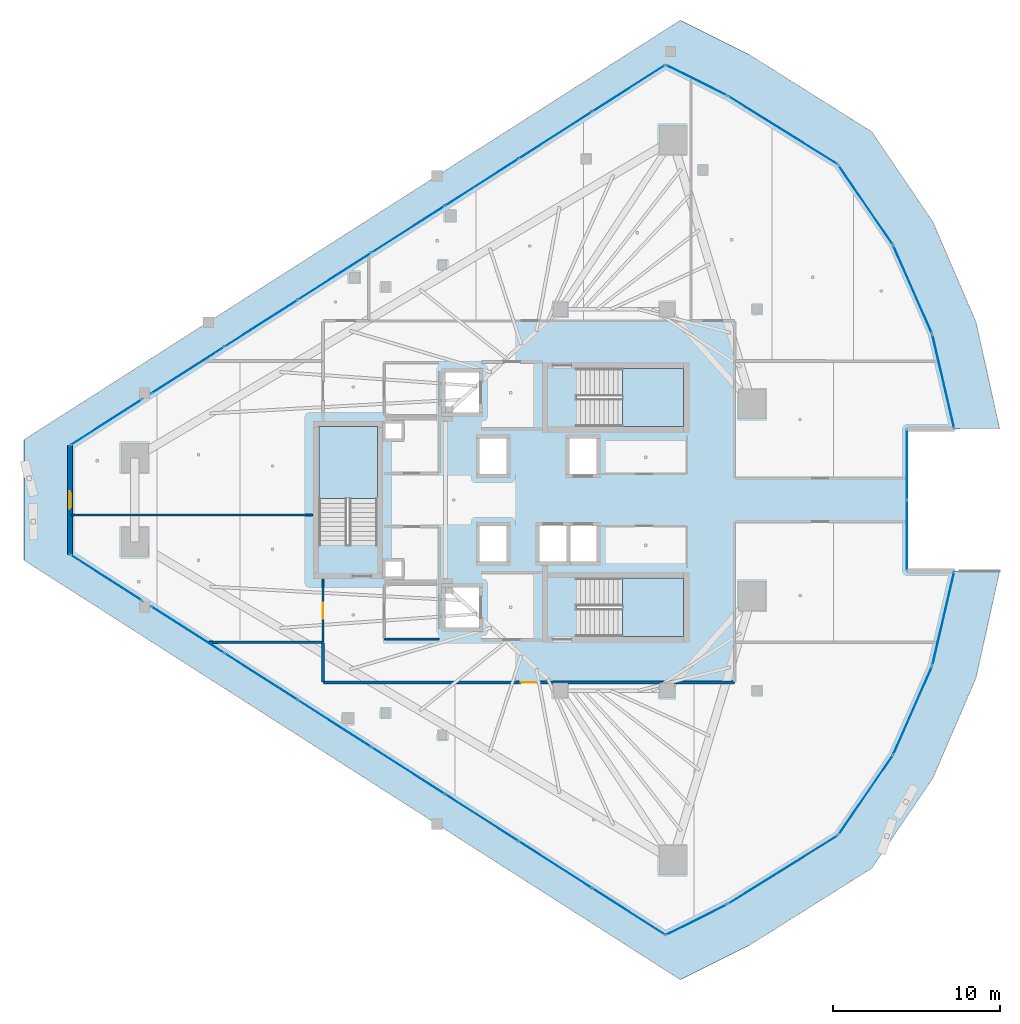
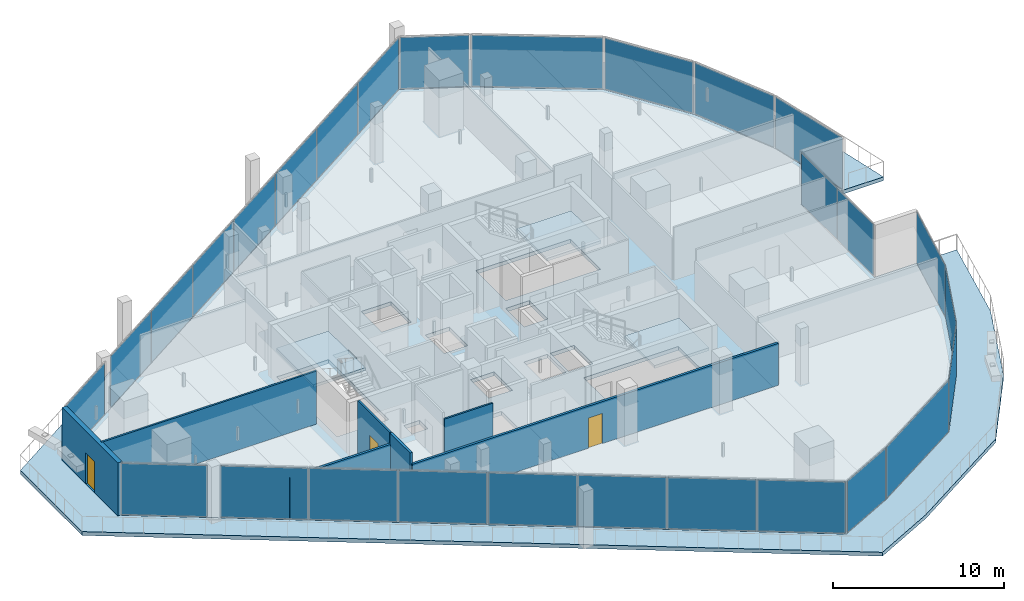
# One storey, part 20 of 30: 28 plates, 7 walls, 5 slabs, 3 doors, 3 openings, 18 elements without a shape of their own.
"""IFC4 building model written with IfcOpenShell, lengths in metres."""

from ifc_helpers import new_model, si_unit, direction, frame, frame_2d, origin, origin_2d, place, context, subcontext, project, spatial, polyline, rectangle, outline, extrude, material, layer, layer_set, type_object, element, fill, aggregate, save


model = new_model("IFC4")

# Units and contexts
model_context = context("Model", 3, precision=1e-05, world=origin(), true_north=direction((0.0, 1.0)))
body_context = subcontext(model_context, "Body", "Model", "MODEL_VIEW")
ifc_project = project(units=[si_unit("LENGTHUNIT", "METRE"), si_unit("AREAUNIT", "SQUARE_METRE"), si_unit("VOLUMEUNIT", "CUBIC_METRE"), si_unit("PLANEANGLEUNIT", "RADIAN"), si_unit("MASSUNIT", "GRAM", prefix="KILO")], contexts=[model_context])

# Site, building, storey
site_placement = place(None, origin())
site = spatial("IfcSite", under=ifc_project, at=site_placement, CompositionType="ELEMENT")
building_placement = place(site_placement, origin())
building = spatial("IfcBuilding", under=site, at=building_placement, Name="Qorvath Tower", CompositionType="ELEMENT")
storey_placement = place(building_placement, frame((0.0, 0.0, 217.199951171875)))
storey = spatial("IfcBuildingStorey", under=building, at=storey_placement, Name="L50", CompositionType="ELEMENT", Elevation=217.199951171875)

# Curtain wall, plate
ifc_material_1 = material(Name="Anodised aluminium and triple low-E glass", Category="aluminium")
ifc_layer_1 = layer(ifc_material_1, 0.179931640625)
ifc_layer_set_1 = layer_set([ifc_layer_1], Name="CW-SYS-3")
curtain_wall_type = type_object("IfcCurtainWallType", Name="CW-SYS-3", PredefinedType="NOTDEFINED", material=ifc_layer_set_1)
curtain_wall_1_placement = place(storey_placement, origin())
curtain_wall_1 = element("IfcCurtainWall", 1, at=curtain_wall_1_placement, inside=storey, type_object=curtain_wall_type, Name="Curtain Wall CW-3 CW-T-L50-2.1", PredefinedType="NOTDEFINED")
ifc_material_2 = material(Name="Low-E triple insulated glass", Category="glass")
ifc_layer_2 = layer(ifc_material_2, 0.031982421875)
ifc_layer_set_2 = layer_set([ifc_layer_2], Name="CWP-GLZ-32")
plate_type = type_object("IfcPlateType", Name="CWP-GLZ-32", PredefinedType="CURTAIN_PANEL", material=ifc_layer_set_2)
plate_1_placement = place(storey_placement, frame((-50.886962890625, -4.66064453125, 0.065185546875), z_axis=(0.0, 0.0, 1.0), x_axis=(0.842591558804, -0.53855312183, 0.0)))
plate_1 = element("IfcPlate", 2, at=plate_1_placement, type_object=plate_type, Name="CW-3 panel 1.1", PredefinedType="CURTAIN_PANEL", context=body_context, shape_type="SweptSolid", body=[
    extrude(rectangle(XDim=5.046630859375, YDim=0.031982421875, at=origin_2d()), origin(), (0.0, 0.0, 1.0), 3.64990234375),
])
aggregate(curtain_wall_1, [plate_1])

# Curtain wall, plates
curtain_wall_2_placement = place(storey_placement, origin())
curtain_wall_2 = element("IfcCurtainWall", 3, at=curtain_wall_2_placement, inside=storey, type_object=curtain_wall_type, Name="Curtain Wall CW-3 CW-T-L50-2.2", PredefinedType="NOTDEFINED")
plate_2_placement = place(storey_placement, frame((-45.986328125, -7.79296875, 0.065185546875), z_axis=(0.0, 0.0, 1.0), x_axis=(0.842603278224, -0.538534785809, 0.0)))
plate_2 = element("IfcPlate", 4, at=plate_2_placement, type_object=plate_type, Name="CW-3 panel 1.1", PredefinedType="CURTAIN_PANEL", context=body_context, shape_type="SweptSolid", body=[
    extrude(rectangle(XDim=5.144775390625, YDim=0.031982421875, at=origin_2d()), origin(), (0.0, 0.0, 1.0), 3.64990234375),
])
plate_3_placement = place(storey_placement, frame((-41.582763671875, -10.607177734375, 0.065185546875), z_axis=(0.0, 0.0, 1.0), x_axis=(0.842603278224, -0.538534785809, 0.0)))
plate_3 = element("IfcPlate", 5, at=plate_3_placement, type_object=plate_type, Name="CW-3 panel 2.1", PredefinedType="CURTAIN_PANEL", context=body_context, shape_type="SweptSolid", body=[
    extrude(rectangle(XDim=5.17724609375, YDim=0.031982421875, at=origin_2d()), origin(), (0.0, 0.0, 1.0), 3.64990234375),
])
plate_4_placement = place(storey_placement, frame((-37.165771484375, -13.430419921875, 0.065185546875), z_axis=(0.0, 0.0, 1.0), x_axis=(0.842603278224, -0.538534785809, 0.0)))
plate_4 = element("IfcPlate", 6, at=plate_4_placement, type_object=plate_type, Name="CW-3 panel 3.1", PredefinedType="CURTAIN_PANEL", context=body_context, shape_type="SweptSolid", body=[
    extrude(rectangle(XDim=5.17724609375, YDim=0.031982421875, at=origin_2d()), origin(), (0.0, 0.0, 1.0), 3.64990234375),
])
plate_5_placement = place(storey_placement, frame((-32.74853515625, -16.253662109375, 0.065185546875), z_axis=(0.0, 0.0, 1.0), x_axis=(0.842603278224, -0.538534785809, 0.0)))
plate_5 = element("IfcPlate", 7, at=plate_5_placement, type_object=plate_type, Name="CW-3 panel 4.1", PredefinedType="CURTAIN_PANEL", context=body_context, shape_type="SweptSolid", body=[
    extrude(rectangle(XDim=5.17724609375, YDim=0.031982421875, at=origin_2d()), origin(), (0.0, 0.0, 1.0), 3.64990234375),
])
plate_6_placement = place(storey_placement, frame((-28.33154296875, -19.07666015625, 0.065185546875), z_axis=(0.0, 0.0, 1.0), x_axis=(0.842603278224, -0.538534785809, 0.0)))
plate_6 = element("IfcPlate", 8, at=plate_6_placement, type_object=plate_type, Name="CW-3 panel 5.1", PredefinedType="CURTAIN_PANEL", context=body_context, shape_type="SweptSolid", body=[
    extrude(rectangle(XDim=5.17724609375, YDim=0.031982421875, at=origin_2d()), origin(), (0.0, 0.0, 1.0), 3.64990234375),
])
plate_7_placement = place(storey_placement, frame((-23.914306640625, -21.89990234375, 0.065185546875), z_axis=(0.0, 0.0, 1.0), x_axis=(0.842603278224, -0.538534785809, 0.0)))
plate_7 = element("IfcPlate", 9, at=plate_7_placement, type_object=plate_type, Name="CW-3 panel 6.1", PredefinedType="CURTAIN_PANEL", context=body_context, shape_type="SweptSolid", body=[
    extrude(rectangle(XDim=5.17724609375, YDim=0.031982421875, at=origin_2d()), origin(), (0.0, 0.0, 1.0), 3.64990234375),
])
plate_8_placement = place(storey_placement, frame((-19.5107421875, -24.714111328125, 0.065185546875), z_axis=(0.0, 0.0, 1.0), x_axis=(0.842603278224, -0.538534785809, 0.0)))
plate_8 = element("IfcPlate", 10, at=plate_8_placement, type_object=plate_type, Name="CW-3 panel 7.1", PredefinedType="CURTAIN_PANEL", context=body_context, shape_type="SweptSolid", body=[
    extrude(rectangle(XDim=5.144775390625, YDim=0.031982421875, at=origin_2d()), origin(), (0.0, 0.0, 1.0), 3.64990234375),
])
aggregate(curtain_wall_2, [plate_2, plate_3, plate_4, plate_5, plate_6, plate_7, plate_8])

# Curtain wall, plate
curtain_wall_3_placement = place(storey_placement, origin())
curtain_wall_3 = element("IfcCurtainWall", 11, at=curtain_wall_3_placement, inside=storey, type_object=curtain_wall_type, Name="Curtain Wall CW-3 CW-T-L50-3.1", PredefinedType="NOTDEFINED")
plate_9_placement = place(storey_placement, frame((-15.421630859375, -25.201171875, 0.065185546875), z_axis=(0.0, 0.0, 1.0), x_axis=(0.894422399869, 0.447223177633, 0.0)))
plate_9 = element("IfcPlate", 12, at=plate_9_placement, type_object=plate_type, Name="CW-3 panel 1.1", PredefinedType="CURTAIN_PANEL", context=body_context, shape_type="SweptSolid", body=[
    extrude(rectangle(XDim=4.04443359375, YDim=0.031982421875, at=origin_2d()), origin(), (0.0, 0.0, 1.0), 3.64990234375),
])
aggregate(curtain_wall_3, [plate_9])

curtain_wall_4_placement = place(storey_placement, origin())
curtain_wall_4 = element("IfcCurtainWall", 13, at=curtain_wall_4_placement, inside=storey, type_object=curtain_wall_type, Name="Curtain Wall CW-3 CW-T-L50-4.1", PredefinedType="NOTDEFINED")
plate_10_placement = place(storey_placement, frame((-10.2421875, -22.20263671875, 0.065185546875), z_axis=(0.0, 0.0, 1.0), x_axis=(0.848633086987, 0.528981931327, 0.0)))
plate_10 = element("IfcPlate", 14, at=plate_10_placement, type_object=plate_type, Name="CW-3 panel 1.1", PredefinedType="CURTAIN_PANEL", context=body_context, shape_type="SweptSolid", body=[
    extrude(rectangle(XDim=7.67724609375, YDim=0.031982421875, at=origin_2d()), origin(), (0.0, 0.0, 1.0), 3.64990234375),
])
aggregate(curtain_wall_4, [plate_10])

curtain_wall_5_placement = place(storey_placement, origin())
curtain_wall_5 = element("IfcCurtainWall", 15, at=curtain_wall_5_placement, inside=storey, type_object=curtain_wall_type, Name="Curtain Wall CW-3 CW-T-L50-5.1", PredefinedType="NOTDEFINED")
plate_11_placement = place(storey_placement, frame((-5.279541015625, -17.726806640625, 0.065185546875), z_axis=(0.0, 0.0, 1.0), x_axis=(0.564746495163, 0.825264440165, 0.0)))
plate_11 = element("IfcPlate", 16, at=plate_11_placement, type_object=plate_type, Name="CW-3 panel 1.1", PredefinedType="CURTAIN_PANEL", context=body_context, shape_type="SweptSolid", body=[
    extrude(rectangle(XDim=5.712890625, YDim=0.031982421875, at=origin_2d()), origin(), (0.0, 0.0, 1.0), 3.64990234375),
])
aggregate(curtain_wall_5, [plate_11])

curtain_wall_6_placement = place(storey_placement, origin())
curtain_wall_6 = element("IfcCurtainWall", 17, at=curtain_wall_6_placement, inside=storey, type_object=curtain_wall_type, Name="Curtain Wall CW-3 CW-T-L50-6.1", PredefinedType="NOTDEFINED")
plate_12_placement = place(storey_placement, frame((-2.452880859375, -12.6416015625, 0.065185546875), z_axis=(0.0, 0.0, 1.0), x_axis=(0.402724849666, 0.915321088723, 0.0)))
plate_12 = element("IfcPlate", 18, at=plate_12_placement, type_object=plate_type, Name="CW-3 panel 1.1", PredefinedType="CURTAIN_PANEL", context=body_context, shape_type="SweptSolid", body=[
    extrude(rectangle(XDim=5.713134765625, YDim=0.031982421875, at=origin_2d()), origin(), (0.0, 0.0, 1.0), 3.64990234375),
])
aggregate(curtain_wall_6, [plate_12])

curtain_wall_7_placement = place(storey_placement, origin())
curtain_wall_7 = element("IfcCurtainWall", 19, at=curtain_wall_7_placement, inside=storey, type_object=curtain_wall_type, Name="Curtain Wall CW-3 CW-T-L50-7.1", PredefinedType="NOTDEFINED")
plate_13_placement = place(storey_placement, frame((-0.61328125, -7.1220703125, 0.065185546875), z_axis=(0.0, 0.0, 1.0), x_axis=(0.226943936238, 0.97390782408, 0.0)))
plate_13 = element("IfcPlate", 20, at=plate_13_placement, type_object=plate_type, Name="CW-3 panel 1.1", PredefinedType="CURTAIN_PANEL", context=body_context, shape_type="SweptSolid", body=[
    extrude(rectangle(XDim=5.712890625, YDim=0.031982421875, at=origin_2d()), origin(), (0.0, 0.0, 1.0), 3.64990234375),
])
aggregate(curtain_wall_7, [plate_13])

# Curtain wall, plates
curtain_wall_8_placement = place(storey_placement, origin())
curtain_wall_8 = element("IfcCurtainWall", 21, at=curtain_wall_8_placement, inside=storey, type_object=curtain_wall_type, Name="Curtain Wall CW-3 CW-T-L50-9.1", PredefinedType="NOTDEFINED")
plate_14_placement = place(storey_placement, frame((-2.8017578125, -2.122314453125, 0.065185546875), z_axis=(0.0, 0.0, 1.0), x_axis=(0.0, 1.0, 0.0)))
plate_14 = element("IfcPlate", 22, at=plate_14_placement, type_object=plate_type, Name="CW-3 panel 1.1", PredefinedType="CURTAIN_PANEL", context=body_context, shape_type="SweptSolid", body=[
    extrude(rectangle(XDim=4.179443359375, YDim=0.031982421875, at=origin_2d()), origin(), (0.0, 0.0, 1.0), 3.64990234375),
])
plate_15_placement = place(storey_placement, frame((-2.8017578125, 2.122314453125, 0.065185546875), z_axis=(0.0, 0.0, 1.0), x_axis=(0.0, 1.0, 0.0)))
plate_15 = element("IfcPlate", 23, at=plate_15_placement, type_object=plate_type, Name="CW-3 panel 2.1", PredefinedType="CURTAIN_PANEL", context=body_context, shape_type="SweptSolid", body=[
    extrude(rectangle(XDim=4.179443359375, YDim=0.031982421875, at=origin_2d()), origin(), (0.0, 0.0, 1.0), 3.64990234375),
])
aggregate(curtain_wall_8, [plate_14, plate_15])

# Curtain wall, plate
curtain_wall_9_placement = place(storey_placement, origin())
curtain_wall_9 = element("IfcCurtainWall", 24, at=curtain_wall_9_placement, inside=storey, type_object=curtain_wall_type, Name="Curtain Wall CW-3 CW-T-L50-11.1", PredefinedType="NOTDEFINED")
plate_16_placement = place(storey_placement, frame((-0.61328125, 7.1220703125, 0.065185546875), z_axis=(0.0, 0.0, 1.0), x_axis=(-0.226943936238, 0.97390782408, 0.0)))
plate_16 = element("IfcPlate", 25, at=plate_16_placement, type_object=plate_type, Name="CW-3 panel 1.1", PredefinedType="CURTAIN_PANEL", context=body_context, shape_type="SweptSolid", body=[
    extrude(rectangle(XDim=5.712890625, YDim=0.031982421875, at=origin_2d()), origin(), (0.0, 0.0, 1.0), 3.64990234375),
])
aggregate(curtain_wall_9, [plate_16])

curtain_wall_10_placement = place(storey_placement, origin())
curtain_wall_10 = element("IfcCurtainWall", 26, at=curtain_wall_10_placement, inside=storey, type_object=curtain_wall_type, Name="Curtain Wall CW-3 CW-T-L50-12.1", PredefinedType="NOTDEFINED")
plate_17_placement = place(storey_placement, frame((-2.452880859375, 12.6416015625, 0.065185546875), z_axis=(0.0, 0.0, 1.0), x_axis=(-0.402724849666, 0.915321088723, 0.0)))
plate_17 = element("IfcPlate", 27, at=plate_17_placement, type_object=plate_type, Name="CW-3 panel 1.1", PredefinedType="CURTAIN_PANEL", context=body_context, shape_type="SweptSolid", body=[
    extrude(rectangle(XDim=5.713134765625, YDim=0.031982421875, at=origin_2d()), origin(), (0.0, 0.0, 1.0), 3.64990234375),
])
aggregate(curtain_wall_10, [plate_17])

curtain_wall_11_placement = place(storey_placement, origin())
curtain_wall_11 = element("IfcCurtainWall", 28, at=curtain_wall_11_placement, inside=storey, type_object=curtain_wall_type, Name="Curtain Wall CW-3 CW-T-L50-13.1", PredefinedType="NOTDEFINED")
plate_18_placement = place(storey_placement, frame((-5.279541015625, 17.726806640625, 0.065185546875), z_axis=(0.0, 0.0, 1.0), x_axis=(-0.564746495163, 0.825264440165, 0.0)))
plate_18 = element("IfcPlate", 29, at=plate_18_placement, type_object=plate_type, Name="CW-3 panel 1.1", PredefinedType="CURTAIN_PANEL", context=body_context, shape_type="SweptSolid", body=[
    extrude(rectangle(XDim=5.712890625, YDim=0.031982421875, at=origin_2d()), origin(), (0.0, 0.0, 1.0), 3.64990234375),
])
aggregate(curtain_wall_11, [plate_18])

curtain_wall_12_placement = place(storey_placement, origin())
curtain_wall_12 = element("IfcCurtainWall", 30, at=curtain_wall_12_placement, inside=storey, type_object=curtain_wall_type, Name="Curtain Wall CW-3 CW-T-L50-14.1", PredefinedType="NOTDEFINED")
plate_19_placement = place(storey_placement, frame((-10.2421875, 22.20263671875, 0.065185546875), z_axis=(0.0, 0.0, 1.0), x_axis=(-0.848633086987, 0.528981931327, 0.0)))
plate_19 = element("IfcPlate", 31, at=plate_19_placement, type_object=plate_type, Name="CW-3 panel 1.1", PredefinedType="CURTAIN_PANEL", context=body_context, shape_type="SweptSolid", body=[
    extrude(rectangle(XDim=7.67724609375, YDim=0.031982421875, at=origin_2d()), origin(), (0.0, 0.0, 1.0), 3.64990234375),
])
aggregate(curtain_wall_12, [plate_19])

curtain_wall_13_placement = place(storey_placement, origin())
curtain_wall_13 = element("IfcCurtainWall", 32, at=curtain_wall_13_placement, inside=storey, type_object=curtain_wall_type, Name="Curtain Wall CW-3 CW-T-L50-15.1", PredefinedType="NOTDEFINED")
plate_20_placement = place(storey_placement, frame((-15.421630859375, 25.201171875, 0.065185546875), z_axis=(0.0, 0.0, 1.0), x_axis=(-0.894422399869, 0.447223177633, 0.0)))
plate_20 = element("IfcPlate", 33, at=plate_20_placement, type_object=plate_type, Name="CW-3 panel 1.1", PredefinedType="CURTAIN_PANEL", context=body_context, shape_type="SweptSolid", body=[
    extrude(rectangle(XDim=4.04443359375, YDim=0.031982421875, at=origin_2d()), origin(), (0.0, 0.0, 1.0), 3.64990234375),
])
aggregate(curtain_wall_13, [plate_20])

# Curtain wall, plates
curtain_wall_14_placement = place(storey_placement, origin())
curtain_wall_14 = element("IfcCurtainWall", 34, at=curtain_wall_14_placement, inside=storey, type_object=curtain_wall_type, Name="Curtain Wall CW-3 CW-T-L50-16.1", PredefinedType="NOTDEFINED")
plate_21_placement = place(storey_placement, frame((-19.5107421875, 24.714111328125, 0.065185546875), z_axis=(0.0, 0.0, 1.0), x_axis=(-0.842603278224, -0.538534785809, 0.0)))
plate_21 = element("IfcPlate", 35, at=plate_21_placement, type_object=plate_type, Name="CW-3 panel 1.1", PredefinedType="CURTAIN_PANEL", context=body_context, shape_type="SweptSolid", body=[
    extrude(rectangle(XDim=5.144775390625, YDim=0.031982421875, at=origin_2d()), origin(), (0.0, 0.0, 1.0), 3.64990234375),
])
plate_22_placement = place(storey_placement, frame((-23.914306640625, 21.89990234375, 0.065185546875), z_axis=(0.0, 0.0, 1.0), x_axis=(-0.842603278224, -0.538534785809, 0.0)))
plate_22 = element("IfcPlate", 36, at=plate_22_placement, type_object=plate_type, Name="CW-3 panel 2.1", PredefinedType="CURTAIN_PANEL", context=body_context, shape_type="SweptSolid", body=[
    extrude(rectangle(XDim=5.17724609375, YDim=0.031982421875, at=origin_2d()), origin(), (0.0, 0.0, 1.0), 3.64990234375),
])
plate_23_placement = place(storey_placement, frame((-28.33154296875, 19.07666015625, 0.065185546875), z_axis=(0.0, 0.0, 1.0), x_axis=(-0.842603278224, -0.538534785809, 0.0)))
plate_23 = element("IfcPlate", 37, at=plate_23_placement, type_object=plate_type, Name="CW-3 panel 3.1", PredefinedType="CURTAIN_PANEL", context=body_context, shape_type="SweptSolid", body=[
    extrude(rectangle(XDim=5.17724609375, YDim=0.031982421875, at=origin_2d()), origin(), (0.0, 0.0, 1.0), 3.64990234375),
])
plate_24_placement = place(storey_placement, frame((-32.74853515625, 16.253662109375, 0.065185546875), z_axis=(0.0, 0.0, 1.0), x_axis=(-0.842603278224, -0.538534785809, 0.0)))
plate_24 = element("IfcPlate", 38, at=plate_24_placement, type_object=plate_type, Name="CW-3 panel 4.1", PredefinedType="CURTAIN_PANEL", context=body_context, shape_type="SweptSolid", body=[
    extrude(rectangle(XDim=5.17724609375, YDim=0.031982421875, at=origin_2d()), origin(), (0.0, 0.0, 1.0), 3.64990234375),
])
plate_25_placement = place(storey_placement, frame((-37.165771484375, 13.430419921875, 0.065185546875), z_axis=(0.0, 0.0, 1.0), x_axis=(-0.842603278224, -0.538534785809, 0.0)))
plate_25 = element("IfcPlate", 39, at=plate_25_placement, type_object=plate_type, Name="CW-3 panel 5.1", PredefinedType="CURTAIN_PANEL", context=body_context, shape_type="SweptSolid", body=[
    extrude(rectangle(XDim=5.17724609375, YDim=0.031982421875, at=origin_2d()), origin(), (0.0, 0.0, 1.0), 3.64990234375),
])
plate_26_placement = place(storey_placement, frame((-41.582763671875, 10.607177734375, 0.065185546875), z_axis=(0.0, 0.0, 1.0), x_axis=(-0.842603278224, -0.538534785809, 0.0)))
plate_26 = element("IfcPlate", 40, at=plate_26_placement, type_object=plate_type, Name="CW-3 panel 6.1", PredefinedType="CURTAIN_PANEL", context=body_context, shape_type="SweptSolid", body=[
    extrude(rectangle(XDim=5.17724609375, YDim=0.031982421875, at=origin_2d()), origin(), (0.0, 0.0, 1.0), 3.64990234375),
])
plate_27_placement = place(storey_placement, frame((-45.986328125, 7.79296875, 0.065185546875), z_axis=(0.0, 0.0, 1.0), x_axis=(-0.842603278224, -0.538534785809, 0.0)))
plate_27 = element("IfcPlate", 41, at=plate_27_placement, type_object=plate_type, Name="CW-3 panel 7.1", PredefinedType="CURTAIN_PANEL", context=body_context, shape_type="SweptSolid", body=[
    extrude(rectangle(XDim=5.144775390625, YDim=0.031982421875, at=origin_2d()), origin(), (0.0, 0.0, 1.0), 3.64990234375),
])
aggregate(curtain_wall_14, [plate_21, plate_22, plate_23, plate_24, plate_25, plate_26, plate_27])

# Curtain wall, plate
curtain_wall_15_placement = place(storey_placement, origin())
curtain_wall_15 = element("IfcCurtainWall", 42, at=curtain_wall_15_placement, inside=storey, type_object=curtain_wall_type, Name="Curtain Wall CW-3 CW-T-L50-16.2", PredefinedType="NOTDEFINED")
plate_28_placement = place(storey_placement, frame((-50.886962890625, 4.66064453125, 0.065185546875), z_axis=(0.0, 0.0, 1.0), x_axis=(-0.842591558804, -0.53855312183, 0.0)))
plate_28 = element("IfcPlate", 43, at=plate_28_placement, type_object=plate_type, Name="CW-3 panel 1.1", PredefinedType="CURTAIN_PANEL", context=body_context, shape_type="SweptSolid", body=[
    extrude(rectangle(XDim=5.046630859375, YDim=0.031982421875, at=origin_2d()), origin(), (0.0, 0.0, 1.0), 3.64990234375),
])
aggregate(curtain_wall_15, [plate_28])

# Stair, slab
ifc_material_3 = material(Name="Concrete C50/60", Category="concrete")
stair_type = type_object("IfcStairType", Name="ST-H405", PredefinedType="HALF_TURN_STAIR", material=ifc_material_3)
stair_1_placement = place(storey_placement, origin())
stair_1 = element("IfcStair", 44, at=stair_1_placement, inside=storey, type_object=stair_type, Name="L50 Tower Exit Stair 1", PredefinedType="HALF_TURN_STAIR")
ifc_material_4 = material(Name="Concrete C50/60", Category="concrete")
ifc_layer_3 = layer(ifc_material_4, 0.199951171875)
ifc_layer_set_3 = layer_set([ifc_layer_3], Name="SL-LND-200")
slab_type_1 = type_object("IfcSlabType", Name="SL-LND-200", PredefinedType="LANDING", material=ifc_layer_set_3)
slab_1_placement = place(storey_placement, frame((0.0, 0.0, 1.824951171875)))
slab_1 = element("IfcSlab", 45, at=slab_1_placement, type_object=slab_type_1, Name="TS1 landing 1", PredefinedType="LANDING", context=body_context, shape_type="SweptSolid", body=[
    extrude(outline(polyline([(-19.8701171875, 4.39990234375), (-16.199951171875, 4.39990234375), (-16.199951171875, 7.909912109375), (-19.8701171875, 7.909912109375), (-19.8701171875, 4.39990234375)])), origin(), (0.0, 0.0, 1.0), 0.2001953125),
])
aggregate(stair_1, [slab_1])

stair_2_placement = place(storey_placement, origin())
stair_2 = element("IfcStair", 46, at=stair_2_placement, inside=storey, type_object=stair_type, Name="L50 Tower Exit Stair 2", PredefinedType="HALF_TURN_STAIR")
slab_2_placement = place(storey_placement, frame((0.0, 0.0, 1.824951171875)))
slab_2 = element("IfcSlab", 47, at=slab_2_placement, type_object=slab_type_1, Name="TS2 landing 1", PredefinedType="LANDING", context=body_context, shape_type="SweptSolid", body=[
    extrude(outline(polyline([(-19.8701171875, -8.199951171875), (-16.199951171875, -8.199951171875), (-16.199951171875, -4.68994140625), (-19.8701171875, -4.68994140625), (-19.8701171875, -8.199951171875)])), origin(), (0.0, 0.0, 1.0), 0.2001953125),
])
aggregate(stair_2, [slab_2])

stair_3_placement = place(storey_placement, origin())
stair_3 = element("IfcStair", 48, at=stair_3_placement, inside=storey, type_object=stair_type, Name="L50 Tower Exit Stair 3", PredefinedType="HALF_TURN_STAIR")
slab_3_placement = place(storey_placement, frame((0.0, 0.0, 1.824951171875)))
slab_3 = element("IfcSlab", 49, at=slab_3_placement, type_object=slab_type_1, Name="TS3 landing 1", PredefinedType="LANDING", context=body_context, shape_type="SweptSolid", body=[
    extrude(outline(polyline([(-34.60009765625, 0.080078125), (-34.60009765625, 4.39990234375), (-38.110107421875, 4.39990234375), (-38.110107421875, 0.080078125), (-34.60009765625, 0.080078125)])), origin(), (0.0, 0.0, 1.0), 0.2001953125),
])
aggregate(stair_3, [slab_3])

# Slabs
ifc_material_5 = material(Name="Precast concrete C45/55", Category="concrete")
ifc_layer_4 = layer(ifc_material_5, 0.27001953125)
ifc_layer_set_4 = layer_set([ifc_layer_4], Name="SL-LOG-270")
slab_type_2 = type_object("IfcSlabType", Name="SL-LOG-270", PredefinedType="FLOOR", material=ifc_layer_set_4)
slab_4_placement = place(storey_placement, frame((0.0, 0.0, -0.27001953125)))
element("IfcSlab", 50, at=slab_4_placement, inside=storey, type_object=slab_type_2, Name="Tower L50 Perimeter Loggia and Terrace Slab", PredefinedType="FLOOR", context=body_context, shape_type="SweptSolid", body=[
    extrude(outline(polyline([(0.049560546875, -4.27685546875), (-1.2763671875, -9.96728515625), (-3.629638671875, -15.315673828125), (-6.929443359375, -20.1376953125), (-13.554931640625, -24.267578125), (-17.28857421875, -26.134521484375), (-53.06787109375, -3.266845703125), (-53.06787109375, 3.266845703125), (-17.28857421875, 26.134521484375), (-13.554931640625, 24.267578125), (-6.929443359375, 20.1376953125), (-3.629638671875, 15.315673828125), (-1.2763671875, 9.96728515625), (0.049560546875, 4.27685546875), (2.76611328125, 4.27685546875), (1.350830078125, 10.671142578125), (-1.2392578125, 16.686279296875), (-4.912109375, 22.108642578125), (-12.284423828125, 26.745361328125), (-16.399169921875, 28.802734375), (-55.831298828125, 3.600341796875), (-55.831298828125, -3.600341796875), (-16.399169921875, -28.802734375), (-12.284423828125, -26.745361328125), (-4.912109375, -22.108642578125), (-1.2392578125, -16.686279296875), (1.350830078125, -10.671142578125), (2.76611328125, -4.27685546875), (0.049560546875, -4.27685546875)])), origin(), (0.0, 0.0, 1.0), 0.27001953125),
])
ifc_material_6 = material(Name="Concrete C45/55", Category="concrete")
ifc_layer_5 = layer(ifc_material_6, 0.27001953125)
ifc_layer_set_5 = layer_set([ifc_layer_5], Name="SL-MID-270")
slab_type_3 = type_object("IfcSlabType", Name="SL-MID-270", PredefinedType="FLOOR", material=ifc_layer_set_5)
slab_5_placement = place(storey_placement, frame((0.0, 0.0, -0.27001953125)))
element("IfcSlab", 51, at=slab_5_placement, inside=storey, type_object=slab_type_3, Name="Tower L50 Interior Floor Slab", PredefinedType="FLOOR", context=body_context, shape_type="SweptSolid", body=[
    extrude(outline(polyline([(-53.06787109375, 3.266845703125), (-53.06787109375, -3.266845703125), (-17.28857421875, -26.134521484375), (-13.554931640625, -24.267578125), (-6.929443359375, -20.1376953125), (-3.629638671875, -15.315673828125), (-1.2763671875, -9.96728515625), (0.049560546875, -4.27685546875), (-2.8017578125, -4.27685546875), (-2.8017578125, 4.27685546875), (0.049560546875, 4.27685546875), (-1.2763671875, 9.96728515625), (-3.629638671875, 15.315673828125), (-6.929443359375, 20.1376953125), (-13.554931640625, 24.267578125), (-17.28857421875, 26.134521484375), (-53.06787109375, 3.266845703125)]), holes=[polyline([(-16.2451171875, -8.199951171875), (-22.625, -8.199951171875), (-22.625, -4.68994140625), (-16.2451171875, -4.68994140625), (-16.2451171875, -8.199951171875)]), polyline([(-22.625, 4.39990234375), (-22.625, 7.909912109375), (-16.2451171875, 7.909912109375), (-16.2451171875, 4.39990234375), (-22.625, 4.39990234375)]), polyline([(-21.449951171875, -3.699951171875), (-23.050048828125, -3.699951171875), (-23.050048828125, -1.550048828125), (-21.449951171875, -1.550048828125), (-21.449951171875, -3.699951171875)]), polyline([(-23.050048828125, 1.550048828125), (-23.050048828125, 3.699951171875), (-21.449951171875, 3.699951171875), (-21.449951171875, 1.550048828125), (-23.050048828125, 1.550048828125)]), polyline([(-24.85009765625, -3.699951171875), (-24.85009765625, -1.550048828125), (-23.25, -1.550048828125), (-23.25, -3.699951171875), (-24.85009765625, -3.699951171875)]), polyline([(-28.449951171875, -3.699951171875), (-28.449951171875, -1.550048828125), (-26.85009765625, -1.550048828125), (-26.85009765625, -3.699951171875), (-28.449951171875, -3.699951171875)]), polyline([(-26.85009765625, 1.550048828125), (-28.449951171875, 1.550048828125), (-28.449951171875, 3.699951171875), (-26.85009765625, 3.699951171875), (-26.85009765625, 1.550048828125)]), polyline([(-28.5, -7.64990234375), (-30.5, -7.64990234375), (-30.5, -5.25), (-28.5, -5.25), (-28.5, -7.64990234375)]), polyline([(-30.5, 5.25), (-30.5, 7.64990234375), (-28.5, 7.64990234375), (-28.5, 5.25), (-30.5, 5.25)]), polyline([(-34.14990234375, -4.6201171875), (-34.14990234375, -3.64990234375), (-33.10009765625, -3.64990234375), (-33.10009765625, -4.6201171875), (-34.14990234375, -4.6201171875)]), polyline([(-34.14990234375, 3.64990234375), (-34.14990234375, 4.6201171875), (-33.10009765625, 4.6201171875), (-33.10009765625, 3.64990234375), (-34.14990234375, 3.64990234375)]), polyline([(-34.60009765625, -2.675048828125), (-38.110107421875, -2.675048828125), (-38.110107421875, 4.35498046875), (-34.60009765625, 4.35498046875), (-34.60009765625, -2.675048828125)])]), origin(), (0.0, 0.0, 1.0), 0.27001953125),
])

# Wall, opening, door
ifc_material_7 = material(Name="Double acoustic gypsum board on steel studs", Category="steel")
ifc_layer_6 = layer(ifc_material_7, 0.159912109375)
ifc_layer_set_6 = layer_set([ifc_layer_6], Name="IW-ACOUSTIC-160")
wall_type_1 = type_object("IfcWallType", Name="IW-ACOUSTIC-160", PredefinedType="PARTITIONING", material=ifc_layer_set_6)
wall_1_placement = place(storey_placement, frame((-13.1669921875, -10.9580078125, 0.0), z_axis=(0.0, 0.0, 1.0), x_axis=(-1.0, 0.0, 0.0)))
wall_1 = element("IfcWall", 52, at=wall_1_placement, inside=storey, type_object=wall_type_1, Name="Interior Partition IW-T1-L50-034", PredefinedType="PARTITIONING", context=body_context, shape_type="SweptSolid", body=[
    extrude(rectangle(XDim=24.666015625, YDim=0.159912109375, at=frame_2d((12.3330078125, 0.0))), origin(), (0.0, 0.0, 1.0), 3.0),
])
opening_1_placement = place(wall_1_placement, frame((11.85791015625, 0.0, 0.0)))
opening_1 = element("IfcOpeningElement", 53, at=opening_1_placement, cuts=wall_1, Name="Opening D-T1-L50-10", PredefinedType="OPENING", context=body_context, shape_type="SweptSolid", body=[
    extrude(rectangle(XDim=0.949951171875, YDim=2.14990234375, at=frame_2d((0.47509765625, 1.074951171875))), frame((0.0, 0.08984375, 0.0), z_axis=(0.0, -1.0, 0.0), x_axis=(1.0, 0.0, 0.0)), (0.0, 0.0, 1.0), 0.179931640625),
])
ifc_material_8 = material(Name="Solid-core American white oak veneer", Category="wood")
door_type_1 = type_object("IfcDoorType", Name="D-01", OperationType="NOTDEFINED", PredefinedType="DOOR", material=ifc_material_8)
door_1_placement = place(opening_1_placement, origin())
door_1 = element("IfcDoor", 54, at=door_1_placement, inside=storey, type_object=door_type_1, Name="L50-04 Staff Wellness Studio Door D-T1-L50-10", OperationType="SINGLE_SWING_LEFT", OverallHeight=2.14990234375, OverallWidth=0.949951171875, PredefinedType="DOOR", context=body_context, shape_type="SweptSolid", body=[
    extrude(rectangle(XDim=0.949951171875, YDim=2.14990234375, at=frame_2d((0.47509765625, 1.074951171875))), frame((0.0, 0.02490234375, 0.0), z_axis=(0.0, -1.0, 0.0), x_axis=(1.0, 0.0, 0.0)), (0.0, 0.0, 1.0), 0.050048828125),
])
fill(opening_1, door_1)

# Walls
wall_2_placement = place(storey_placement, frame((-37.85791015625, -8.574951171875, 0.0), z_axis=(0.0, 0.0, 1.0), x_axis=(0.0, -1.0, 0.0)))
element("IfcWall", 55, at=wall_2_placement, inside=storey, type_object=wall_type_1, Name="Interior Partition IW-T1-L50-035", PredefinedType="PARTITIONING", context=body_context, shape_type="SweptSolid", body=[
    extrude(rectangle(XDim=2.358154296875, YDim=0.159912109375, at=frame_2d((1.17919921875, 0.0))), origin(), (0.0, 0.0, 1.0), 3.780029296875),
])
wall_3_placement = place(storey_placement, frame((-37.8828125, -8.550048828125, 0.0), z_axis=(0.0, 0.0, 1.0), x_axis=(-1.0, 0.0, 0.0)))
element("IfcWall", 56, at=wall_3_placement, inside=storey, type_object=wall_type_1, Name="Interior Partition IW-T1-L50-036", PredefinedType="PARTITIONING", context=body_context, shape_type="SweptSolid", body=[
    extrude(rectangle(XDim=6.8388671875, YDim=0.159912109375, at=frame_2d((3.41943359375, 0.0))), origin(), (0.0, 0.0, 1.0), 3.0),
])

# Wall, opening, door
ifc_material_9 = material(Name="Gypsum board on metal studs with mineral wool", Category="gypsum")
ifc_layer_7 = layer(ifc_material_9, 0.125)
ifc_layer_set_7 = layer_set([ifc_layer_7], Name="IW-PART-125")
wall_type_2 = type_object("IfcWallType", Name="IW-PART-125", PredefinedType="PARTITIONING", material=ifc_layer_set_7)
wall_4_placement = place(storey_placement, frame((-37.85791015625, -8.51708984375, 0.0), z_axis=(0.0, 0.0, 1.0), x_axis=(0.0, 1.0, 0.0)))
wall_4 = element("IfcWall", 57, at=wall_4_placement, inside=storey, type_object=wall_type_2, Name="Interior Partition IW-T1-L50-041", PredefinedType="PARTITIONING", context=body_context, shape_type="SweptSolid", body=[
    extrude(rectangle(XDim=3.73388671875, YDim=0.125, at=frame_2d((1.866943359375, 0.0))), origin(), (0.0, 0.0, 1.0), 3.780029296875),
])
opening_2_placement = place(wall_4_placement, frame((1.391845703125, 0.0, 0.0)))
opening_2 = element("IfcOpeningElement", 58, at=opening_2_placement, cuts=wall_4, Name="Opening D-T1-L50-13", PredefinedType="OPENING", context=body_context, shape_type="SweptSolid", body=[
    extrude(rectangle(XDim=0.949951171875, YDim=2.14990234375, at=frame_2d((0.47509765625, 1.074951171875))), frame((0.0, 0.072509765625, 0.0), z_axis=(0.0, -1.0, 0.0), x_axis=(1.0, 0.0, 0.0)), (0.0, 0.0, 1.0), 0.14501953125),
])
door_2_placement = place(opening_2_placement, origin())
door_2 = element("IfcDoor", 59, at=door_2_placement, inside=storey, type_object=door_type_1, Name="L50-07 Breakout Reading Alcove Door D-T1-L50-13", OperationType="SINGLE_SWING_RIGHT", OverallHeight=2.14990234375, OverallWidth=0.949951171875, PredefinedType="DOOR", context=body_context, shape_type="SweptSolid", body=[
    extrude(rectangle(XDim=0.949951171875, YDim=2.14990234375, at=frame_2d((0.47509765625, 1.074951171875))), frame((0.0, 0.02490234375, 0.0), z_axis=(0.0, -1.0, 0.0), x_axis=(1.0, 0.0, 0.0)), (0.0, 0.0, 1.0), 0.050048828125),
])
fill(opening_2, door_2)

# Walls
wall_5_placement = place(storey_placement, frame((-38.492919921875, -0.91015625, 0.0), z_axis=(0.0, 0.0, 1.0), x_axis=(-1.0, 0.0, 0.0)))
element("IfcWall", 60, at=wall_5_placement, inside=storey, type_object=wall_type_2, Name="Interior Partition IW-T1-L50-042", PredefinedType="PARTITIONING", context=body_context, shape_type="SweptSolid", body=[
    extrude(rectangle(XDim=14.494873046875, YDim=0.125, at=frame_2d((7.24755859375, 0.0))), origin(), (0.0, 0.0, 1.0), 3.780029296875),
])
ifc_material_10 = material(Name="Moisture-resistant cement board on metal studs", Category="gypsum")
ifc_layer_8 = layer(ifc_material_10, 0.110107421875)
ifc_layer_set_8 = layer_set([ifc_layer_8], Name="IW-WC-110")
wall_type_3 = type_object("IfcWallType", Name="IW-WC-110", PredefinedType="PARTITIONING", material=ifc_layer_set_8)
wall_6_placement = place(storey_placement, frame((-34.15478515625, -8.35009765625, 0.0), z_axis=(0.0, 0.0, 1.0), x_axis=(1.0, 0.0, 0.0)))
element("IfcWall", 61, at=wall_6_placement, inside=storey, type_object=wall_type_3, Name="Interior Partition IW-T1-L50-009", PredefinedType="PARTITIONING", context=body_context, shape_type="SweptSolid", body=[
    extrude(rectangle(XDim=3.25, YDim=0.110107421875, at=frame_2d((1.625, 0.0))), origin(), (0.0, 0.0, 1.0), 3.34423828125),
])

# Wall, opening, door
ifc_material_11 = material(Name="Precast concrete C45/55", Category="concrete")
ifc_layer_9 = layer(ifc_material_11, 0.300048828125)
ifc_layer_set_9 = layer_set([ifc_layer_9], Name="WL-EW-LOG-300")
wall_type_4 = type_object("IfcWallType", Name="WL-EW-LOG-300", PredefinedType="SOLIDWALL", material=ifc_layer_set_9)
wall_7_placement = place(storey_placement, frame((-53.06787109375, -3.266845703125, 0.0), z_axis=(0.0, 0.0, 1.0), x_axis=(0.0, 1.0, 0.0)))
wall_7 = element("IfcWall", 62, at=wall_7_placement, inside=storey, type_object=wall_type_4, Name="Tower Precast Loggia Wall L50-1.1", PredefinedType="SOLIDWALL", context=body_context, shape_type="SweptSolid", body=[
    extrude(rectangle(XDim=6.53369140625, YDim=0.300048828125, at=frame_2d((3.266845703125, 0.0))), origin(), (0.0, 0.0, 1.0), 3.780029296875),
])
opening_3_placement = place(wall_7_placement, frame((2.74169921875, 0.0, 0.0)))
opening_3 = element("IfcOpeningElement", 63, at=opening_3_placement, cuts=wall_7, Name="Opening ED-L50-01", PredefinedType="OPENING", context=body_context, shape_type="SweptSolid", body=[
    extrude(rectangle(XDim=1.050048828125, YDim=2.199951171875, at=frame_2d((0.52490234375, 1.10009765625))), frame((0.0, 0.16015625, 0.0), z_axis=(0.0, -1.0, 0.0), x_axis=(1.0, 0.0, 0.0)), (0.0, 0.0, 1.0), 0.320068359375),
])
ifc_material_12 = material(Name="Thermally broken aluminium glazed door", Category="aluminium")
door_type_2 = type_object("IfcDoorType", Name="ED-LOG", OperationType="NOTDEFINED", PredefinedType="DOOR", material=ifc_material_12)
door_3_placement = place(opening_3_placement, origin())
door_3 = element("IfcDoor", 64, at=door_3_placement, inside=storey, type_object=door_type_2, Name="L50 Recessed Loggia Access Door 1", OperationType="SINGLE_SWING_LEFT", OverallHeight=2.199951171875, OverallWidth=1.050048828125, PredefinedType="DOOR", context=body_context, shape_type="SweptSolid", body=[
    extrude(rectangle(XDim=1.050048828125, YDim=2.199951171875, at=frame_2d((0.52490234375, 1.10009765625))), frame((0.0, 0.02490234375, 0.0), z_axis=(0.0, -1.0, 0.0), x_axis=(1.0, 0.0, 0.0)), (0.0, 0.0, 1.0), 0.050048828125),
])
fill(opening_3, door_3)

save(model, "model.ifc")
